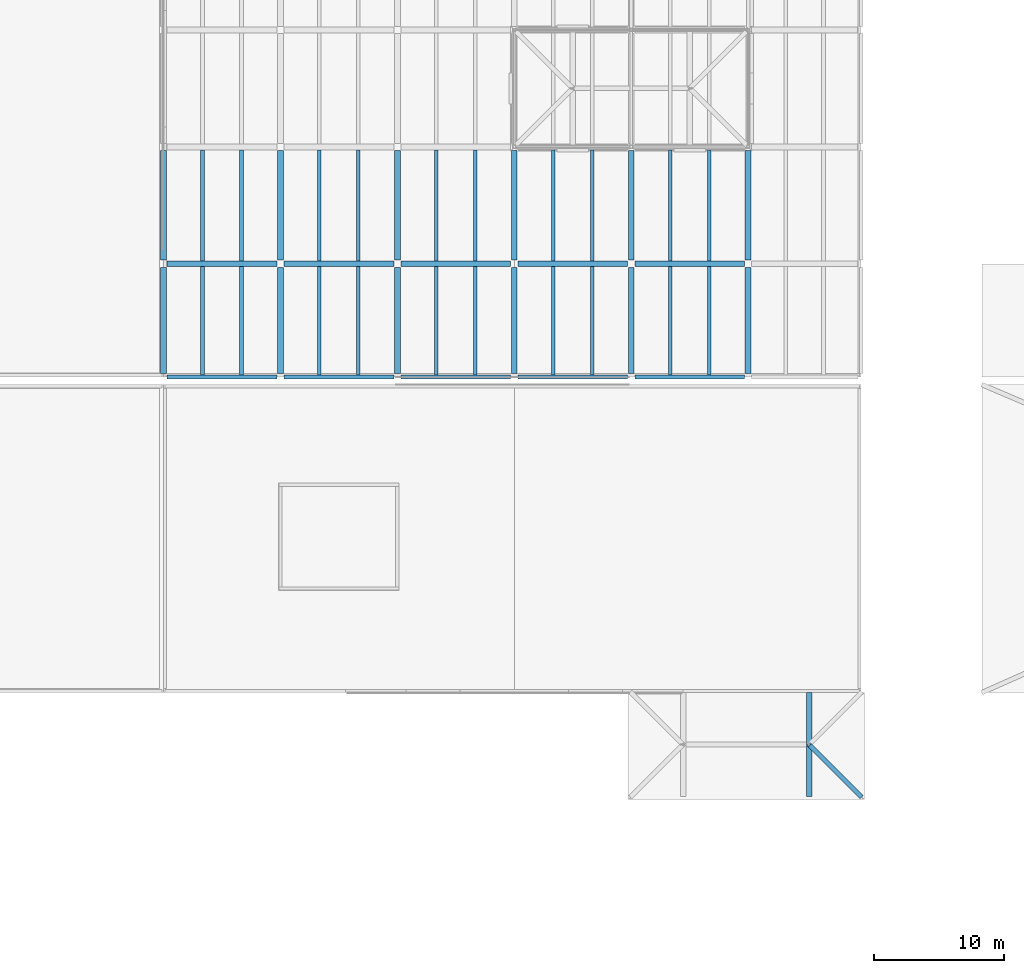
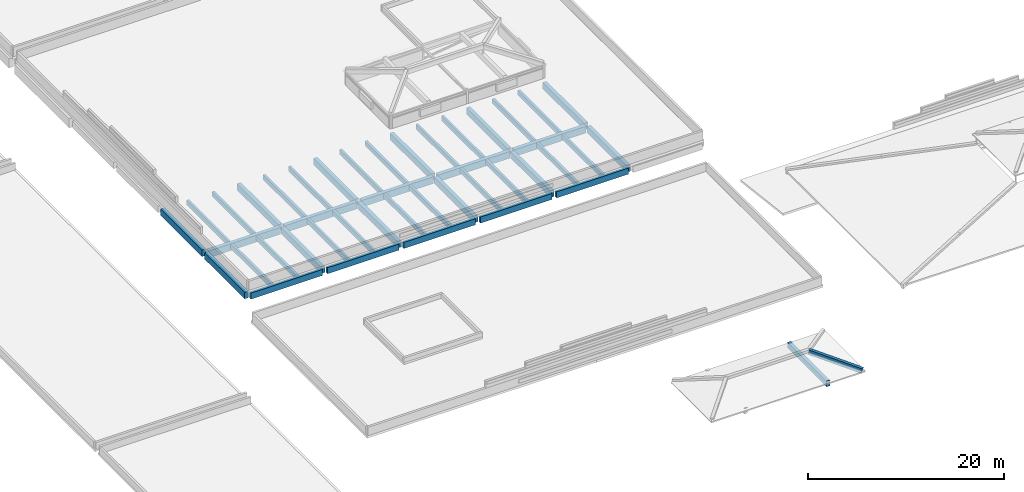
# One storey, part 5 of 56: 44 beams.
"""IFC4 building model written with IfcOpenShell, lengths in metres."""

from ifc_helpers import new_model, si_unit, direction, frame, origin, origin_2d, place, context, subcontext, project, spatial, rectangle, extrude, material, material_profile, profile_set, type_object, element, save


model = new_model("IFC4")

# Units and contexts
model_context = context("Model", 3, precision=1e-05, world=origin(), true_north=direction((0.0, 1.0)))
body_context = subcontext(model_context, "Body", "Model", "MODEL_VIEW")
ifc_project = project(units=[si_unit("LENGTHUNIT", "METRE"), si_unit("AREAUNIT", "SQUARE_METRE"), si_unit("VOLUMEUNIT", "CUBIC_METRE"), si_unit("PLANEANGLEUNIT", "RADIAN"), si_unit("MASSUNIT", "GRAM", prefix="KILO")], contexts=[model_context])

# Site, building, storey
site_placement = place(None, origin())
site = spatial("IfcSite", under=ifc_project, at=site_placement, CompositionType="ELEMENT")
building_placement = place(site_placement, origin())
building = spatial("IfcBuilding", under=site, at=building_placement, Name="Zacnel Wholesale Market", CompositionType="ELEMENT")
storey_placement = place(building_placement, frame((0.0, 0.0, 20.300048828125)))
storey = spatial("IfcBuildingStorey", under=building, at=storey_placement, Name="RF", CompositionType="ELEMENT", Elevation=20.300048828125)

# Beams
ifc_material_1 = material(Name="Concrete C40/50", Category="concrete")
ifc_material_profile_1 = material_profile(ifc_material_1, rectangle(XDim=0.35009765625, YDim=0.60009765625, at=origin_2d()), Name="ARCH RIB 350x600")
ifc_profile_set_1 = profile_set([ifc_material_profile_1], Name="Concrete C40/50")
beam_type_1 = type_object("IfcBeamType", Name="BM-AR600", PredefinedType="USERDEFINED", material=ifc_profile_set_1)
beam_1_placement = place(storey_placement, frame((71.699951171875, 16.0, -9.1201171875), z_axis=(-0.687789348367, 0.687789348367, 0.232145696806), x_axis=(-0.707106781187, -0.707106781187, 0.0)))
element("IfcBeam", 1, at=beam_1_placement, inside=storey, type_object=beam_type_1, Name="Hipped crown rib STR-ROOF-V4W-PAV-2", ObjectType="ARCH RIB", PredefinedType="USERDEFINED", context=body_context, shape_type="SweptSolid", body=[
    extrude(rectangle(XDim=0.35009765625, YDim=0.60009765625, at=origin_2d()), origin(), (0.0, 0.0, 1.0), 5.815673828125),
])
ifc_material_2 = material(Name="Precast concrete C45/55", Category="concrete")
ifc_material_profile_2 = material_profile(ifc_material_2, rectangle(XDim=0.280029296875, YDim=0.60009765625, at=origin_2d()), Name="DT RIB 280x600")
ifc_profile_set_2 = profile_set([ifc_material_profile_2], Name="Precast concrete C45/55")
beam_type_2 = type_object("IfcBeamType", Name="BM-DT600", PredefinedType="JOIST", material=ifc_profile_set_2)
for number, where, z_axis, x_axis, name in (
    (2, (21.0, 48.449951171875, -0.60009765625), (0.0, 1.0, 0.0), (-1.0, 0.0, 0.0), "Precast secondary joist RF-0829"),
    (3, (24.0, 48.449951171875, -0.60009765625), (0.0, 1.0, 0.0), (-1.0, 0.0, 0.0), "Precast secondary joist RF-0830"),
    (4, (30.0, 48.449951171875, -0.60009765625), (0.0, 1.0, 0.0), (-1.0, 0.0, 0.0), "Precast secondary joist RF-0831"),
    (5, (33.0, 48.449951171875, -0.60009765625), (0.0, 1.0, 0.0), (-1.0, 0.0, 0.0), "Precast secondary joist RF-0832"),
    (6, (39.0, 48.449951171875, -0.60009765625), (0.0, 1.0, 0.0), (-1.0, 0.0, 0.0), "Precast secondary joist RF-0833"),
    (7, (42.0, 48.449951171875, -0.60009765625), (0.0, 1.0, 0.0), (-1.0, 0.0, 0.0), "Precast secondary joist RF-0834"),
    (8, (48.0, 48.449951171875, -0.60009765625), (0.0, 1.0, 0.0), (-1.0, 0.0, 0.0), "Precast secondary joist RF-0835"),
    (9, (51.0, 48.449951171875, -0.60009765625), (0.0, 1.0, 0.0), (-1.0, 0.0, 0.0), "Precast secondary joist RF-0836"),
    (10, (57.0, 48.449951171875, -0.60009765625), (0.0, 1.0, 0.0), (-1.0, 0.0, 0.0), "Precast secondary joist RF-0837"),
    (11, (60.0, 48.449951171875, -0.60009765625), (0.0, 1.0, 0.0), (-1.0, 0.0, 0.0), "Precast secondary joist RF-0838"),
):
    element("IfcBeam", number, at=place(storey_placement, frame(where, z_axis=z_axis, x_axis=x_axis)), inside=storey, type_object=beam_type_2, Name=name, PredefinedType="JOIST", context=body_context, shape_type="SweptSolid", body=[
        extrude(rectangle(XDim=0.280029296875, YDim=0.60009765625, at=origin_2d()), origin(), (0.0, 0.0, 1.0), 8.324951171875),
    ])
for number, where, z_axis, x_axis, name in (
    (12, (21.0, 57.22509765625, -0.60009765625), (0.0, 1.0, 0.0), (-1.0, 0.0, 0.0), "Precast secondary joist RF-0849"),
    (13, (24.0, 57.22509765625, -0.60009765625), (0.0, 1.0, 0.0), (-1.0, 0.0, 0.0), "Precast secondary joist RF-0850"),
    (14, (30.0, 57.22509765625, -0.60009765625), (0.0, 1.0, 0.0), (-1.0, 0.0, 0.0), "Precast secondary joist RF-0851"),
    (15, (33.0, 57.22509765625, -0.60009765625), (0.0, 1.0, 0.0), (-1.0, 0.0, 0.0), "Precast secondary joist RF-0852"),
    (16, (39.0, 57.22509765625, -0.60009765625), (0.0, 1.0, 0.0), (-1.0, 0.0, 0.0), "Precast secondary joist RF-0853"),
    (17, (42.0, 57.22509765625, -0.60009765625), (0.0, 1.0, 0.0), (-1.0, 0.0, 0.0), "Precast secondary joist RF-0854"),
    (18, (48.0, 57.22509765625, -0.60009765625), (0.0, 1.0, 0.0), (-1.0, 0.0, 0.0), "Precast secondary joist RF-0855"),
    (19, (51.0, 57.22509765625, -0.60009765625), (0.0, 1.0, 0.0), (-1.0, 0.0, 0.0), "Precast secondary joist RF-0856"),
    (20, (57.0, 57.22509765625, -0.60009765625), (0.0, 1.0, 0.0), (-1.0, 0.0, 0.0), "Precast secondary joist RF-0857"),
    (21, (60.0, 57.22509765625, -0.60009765625), (0.0, 1.0, 0.0), (-1.0, 0.0, 0.0), "Precast secondary joist RF-0858"),
):
    element("IfcBeam", number, at=place(storey_placement, frame(where, z_axis=z_axis, x_axis=x_axis)), inside=storey, type_object=beam_type_2, Name=name, PredefinedType="JOIST", context=body_context, shape_type="SweptSolid", body=[
        extrude(rectangle(XDim=0.280029296875, YDim=0.60009765625, at=origin_2d()), origin(), (0.0, 0.0, 1.0), 8.5498046875),
    ])
ifc_material_3 = material(Name="Precast concrete C45/55", Category="concrete")
ifc_material_profile_3 = material_profile(ifc_material_3, rectangle(XDim=0.39990234375, YDim=0.699951171875, at=origin_2d()), Name="PG 400x700")
ifc_profile_set_3 = profile_set([ifc_material_profile_3], Name="Precast concrete C45/55")
beam_type_3 = type_object("IfcBeamType", Name="BM-PG700", PredefinedType="BEAM", material=ifc_profile_set_3)
beam_2_placement = place(storey_placement, frame((67.699951171875, 16.0, -9.35009765625), z_axis=(0.0, 1.0, 0.0), x_axis=(-1.0, 0.0, 0.0)))
element("IfcBeam", 22, at=beam_2_placement, inside=storey, type_object=beam_type_3, Name="Hipped crown tie beam STR-ROOF-V4W-PAV-2", PredefinedType="BEAM", context=body_context, shape_type="SweptSolid", body=[
    extrude(rectangle(XDim=0.39990234375, YDim=0.699951171875, at=origin_2d()), origin(), (0.0, 0.0, 1.0), 8.0),
])
ifc_material_4 = material(Name="Precast concrete C45/55", Category="concrete")
ifc_material_profile_4 = material_profile(ifc_material_4, rectangle(XDim=0.449951171875, YDim=0.800048828125, at=origin_2d()), Name="PG 450x800")
ifc_profile_set_4 = profile_set([ifc_material_profile_4], Name="Precast concrete C45/55")
beam_type_4 = type_object("IfcBeamType", Name="BM-PG800", PredefinedType="BEAM", material=ifc_profile_set_4)
beam_3_placement = place(storey_placement, frame((18.0, 48.574951171875, -0.699951171875), z_axis=(0.0, 1.0, 0.0), x_axis=(-1.0, 0.0, 0.0)))
element("IfcBeam", 23, at=beam_3_placement, inside=storey, type_object=beam_type_4, Name="Precast girder Y-1438", PredefinedType="BEAM", context=body_context, shape_type="SweptSolid", body=[
    extrude(rectangle(XDim=0.449951171875, YDim=0.800048828125, at=origin_2d()), origin(), (0.0, 0.0, 1.0), 8.150146484375),
])
beam_4_placement = place(storey_placement, frame((18.0, 57.27490234375, -0.699951171875), z_axis=(0.0, 1.0, 0.0), x_axis=(-1.0, 0.0, 0.0)))
element("IfcBeam", 24, at=beam_4_placement, inside=storey, type_object=beam_type_4, Name="Precast girder Y-1439", PredefinedType="BEAM", context=body_context, shape_type="SweptSolid", body=[
    extrude(rectangle(XDim=0.449951171875, YDim=0.800048828125, at=origin_2d()), origin(), (0.0, 0.0, 1.0), 8.4501953125),
])
beam_5_placement = place(storey_placement, frame((27.0, 48.574951171875, -0.699951171875), z_axis=(0.0, 1.0, 0.0), x_axis=(-1.0, 0.0, 0.0)))
element("IfcBeam", 25, at=beam_5_placement, inside=storey, type_object=beam_type_4, Name="Precast girder Y-1446", PredefinedType="BEAM", context=body_context, shape_type="SweptSolid", body=[
    extrude(rectangle(XDim=0.449951171875, YDim=0.800048828125, at=origin_2d()), origin(), (0.0, 0.0, 1.0), 8.150146484375),
])
beam_6_placement = place(storey_placement, frame((27.0, 57.27490234375, -0.699951171875), z_axis=(0.0, 1.0, 0.0), x_axis=(-1.0, 0.0, 0.0)))
element("IfcBeam", 26, at=beam_6_placement, inside=storey, type_object=beam_type_4, Name="Precast girder Y-1447", PredefinedType="BEAM", context=body_context, shape_type="SweptSolid", body=[
    extrude(rectangle(XDim=0.449951171875, YDim=0.800048828125, at=origin_2d()), origin(), (0.0, 0.0, 1.0), 8.4501953125),
])
beam_7_placement = place(storey_placement, frame((36.0, 48.574951171875, -0.699951171875), z_axis=(0.0, 1.0, 0.0), x_axis=(-1.0, 0.0, 0.0)))
element("IfcBeam", 27, at=beam_7_placement, inside=storey, type_object=beam_type_4, Name="Precast girder Y-1454", PredefinedType="BEAM", context=body_context, shape_type="SweptSolid", body=[
    extrude(rectangle(XDim=0.449951171875, YDim=0.800048828125, at=origin_2d()), origin(), (0.0, 0.0, 1.0), 8.150146484375),
])
beam_8_placement = place(storey_placement, frame((36.0, 57.27490234375, -0.699951171875), z_axis=(0.0, 1.0, 0.0), x_axis=(-1.0, 0.0, 0.0)))
element("IfcBeam", 28, at=beam_8_placement, inside=storey, type_object=beam_type_4, Name="Precast girder Y-1455", PredefinedType="BEAM", context=body_context, shape_type="SweptSolid", body=[
    extrude(rectangle(XDim=0.449951171875, YDim=0.800048828125, at=origin_2d()), origin(), (0.0, 0.0, 1.0), 8.4501953125),
])
beam_9_placement = place(storey_placement, frame((45.0, 48.574951171875, -0.699951171875), z_axis=(0.0, 1.0, 0.0), x_axis=(-1.0, 0.0, 0.0)))
element("IfcBeam", 29, at=beam_9_placement, inside=storey, type_object=beam_type_4, Name="Precast girder Y-1462", PredefinedType="BEAM", context=body_context, shape_type="SweptSolid", body=[
    extrude(rectangle(XDim=0.449951171875, YDim=0.800048828125, at=origin_2d()), origin(), (0.0, 0.0, 1.0), 8.150146484375),
])
beam_10_placement = place(storey_placement, frame((45.0, 57.27490234375, -0.699951171875), z_axis=(0.0, 1.0, 0.0), x_axis=(-1.0, 0.0, 0.0)))
element("IfcBeam", 30, at=beam_10_placement, inside=storey, type_object=beam_type_4, Name="Precast girder Y-1463", PredefinedType="BEAM", context=body_context, shape_type="SweptSolid", body=[
    extrude(rectangle(XDim=0.449951171875, YDim=0.800048828125, at=origin_2d()), origin(), (0.0, 0.0, 1.0), 8.4501953125),
])
beam_11_placement = place(storey_placement, frame((54.0, 48.574951171875, -0.699951171875), z_axis=(0.0, 1.0, 0.0), x_axis=(-1.0, 0.0, 0.0)))
element("IfcBeam", 31, at=beam_11_placement, inside=storey, type_object=beam_type_4, Name="Precast girder Y-1470", PredefinedType="BEAM", context=body_context, shape_type="SweptSolid", body=[
    extrude(rectangle(XDim=0.449951171875, YDim=0.800048828125, at=origin_2d()), origin(), (0.0, 0.0, 1.0), 8.150146484375),
])
beam_12_placement = place(storey_placement, frame((54.0, 57.27490234375, -0.699951171875), z_axis=(0.0, 1.0, 0.0), x_axis=(-1.0, 0.0, 0.0)))
element("IfcBeam", 32, at=beam_12_placement, inside=storey, type_object=beam_type_4, Name="Precast girder Y-1471", PredefinedType="BEAM", context=body_context, shape_type="SweptSolid", body=[
    extrude(rectangle(XDim=0.449951171875, YDim=0.800048828125, at=origin_2d()), origin(), (0.0, 0.0, 1.0), 8.4501953125),
])
beam_13_placement = place(storey_placement, frame((63.0, 48.574951171875, -0.699951171875), z_axis=(0.0, 1.0, 0.0), x_axis=(-1.0, 0.0, 0.0)))
element("IfcBeam", 33, at=beam_13_placement, inside=storey, type_object=beam_type_4, Name="Precast girder Y-1478", PredefinedType="BEAM", context=body_context, shape_type="SweptSolid", body=[
    extrude(rectangle(XDim=0.449951171875, YDim=0.800048828125, at=origin_2d()), origin(), (0.0, 0.0, 1.0), 8.150146484375),
])
beam_14_placement = place(storey_placement, frame((63.0, 57.27490234375, -0.699951171875), z_axis=(0.0, 1.0, 0.0), x_axis=(-1.0, 0.0, 0.0)))
element("IfcBeam", 34, at=beam_14_placement, inside=storey, type_object=beam_type_4, Name="Precast girder Y-1479", PredefinedType="BEAM", context=body_context, shape_type="SweptSolid", body=[
    extrude(rectangle(XDim=0.449951171875, YDim=0.800048828125, at=origin_2d()), origin(), (0.0, 0.0, 1.0), 8.4501953125),
])
ifc_material_5 = material(Name="Precast concrete C45/55", Category="concrete")
ifc_material_profile_5 = material_profile(ifc_material_5, rectangle(XDim=0.449951171875, YDim=0.85009765625, at=origin_2d()), Name="PG 450x850")
ifc_profile_set_5 = profile_set([ifc_material_profile_5], Name="Precast concrete C45/55")
beam_type_5 = type_object("IfcBeamType", Name="BM-PG850", PredefinedType="BEAM", material=ifc_profile_set_5)
for number, where, z_axis, x_axis, name in (
    (35, (18.27490234375, 57.0, -0.72509765625), (1.0, 0.0, 0.0), (0.0, 1.0, 0.0), "Precast girder X-1364"),
    (36, (27.27490234375, 57.0, -0.72509765625), (1.0, 0.0, 0.0), (0.0, 1.0, 0.0), "Precast girder X-1365"),
    (37, (36.27490234375, 57.0, -0.72509765625), (1.0, 0.0, 0.0), (0.0, 1.0, 0.0), "Precast girder X-1366"),
    (38, (45.27490234375, 57.0, -0.72509765625), (1.0, 0.0, 0.0), (0.0, 1.0, 0.0), "Precast girder X-1367"),
    (39, (54.27490234375, 57.0, -0.72509765625), (1.0, 0.0, 0.0), (0.0, 1.0, 0.0), "Precast girder X-1368"),
):
    element("IfcBeam", number, at=place(storey_placement, frame(where, z_axis=z_axis, x_axis=x_axis)), inside=storey, type_object=beam_type_5, Name=name, PredefinedType="BEAM", context=body_context, shape_type="SweptSolid", body=[
        extrude(rectangle(XDim=0.449951171875, YDim=0.85009765625, at=origin_2d()), origin(), (0.0, 0.0, 1.0), 8.4501953125),
    ])
ifc_material_6 = material(Name="Precast concrete C45/55", Category="concrete")
ifc_material_profile_6 = material_profile(ifc_material_6, rectangle(XDim=0.300048828125, YDim=0.75, at=origin_2d()), Name="SP 300x750")
ifc_profile_set_6 = profile_set([ifc_material_profile_6], Name="Precast concrete C45/55")
beam_type_6 = type_object("IfcBeamType", Name="BM-SP750", PredefinedType="SPANDREL", material=ifc_profile_set_6)
for number, where, z_axis, x_axis, name in (
    (40, (18.27490234375, 48.300048828125, -0.675048828125), (1.0, 0.0, 0.0), (0.0, 1.0, 0.0), "Precast girder X-1354"),
    (41, (27.27490234375, 48.300048828125, -0.675048828125), (1.0, 0.0, 0.0), (0.0, 1.0, 0.0), "Precast girder X-1355"),
    (42, (36.27490234375, 48.300048828125, -0.675048828125), (1.0, 0.0, 0.0), (0.0, 1.0, 0.0), "Precast girder X-1356"),
    (43, (45.27490234375, 48.300048828125, -0.675048828125), (1.0, 0.0, 0.0), (0.0, 1.0, 0.0), "Precast girder X-1357"),
    (44, (54.27490234375, 48.300048828125, -0.675048828125), (1.0, 0.0, 0.0), (0.0, 1.0, 0.0), "Precast girder X-1358"),
):
    element("IfcBeam", number, at=place(storey_placement, frame(where, z_axis=z_axis, x_axis=x_axis)), inside=storey, type_object=beam_type_6, Name=name, PredefinedType="SPANDREL", context=body_context, shape_type="SweptSolid", body=[
        extrude(rectangle(XDim=0.300048828125, YDim=0.75, at=origin_2d()), origin(), (0.0, 0.0, 1.0), 8.4501953125),
    ])

save(model, "model.ifc")
